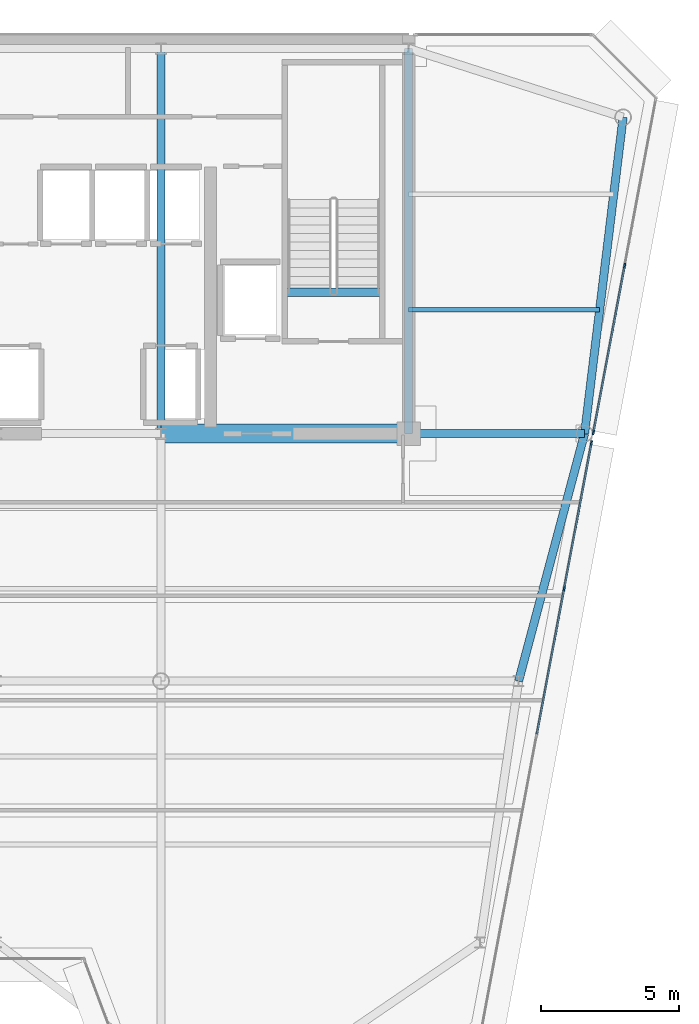
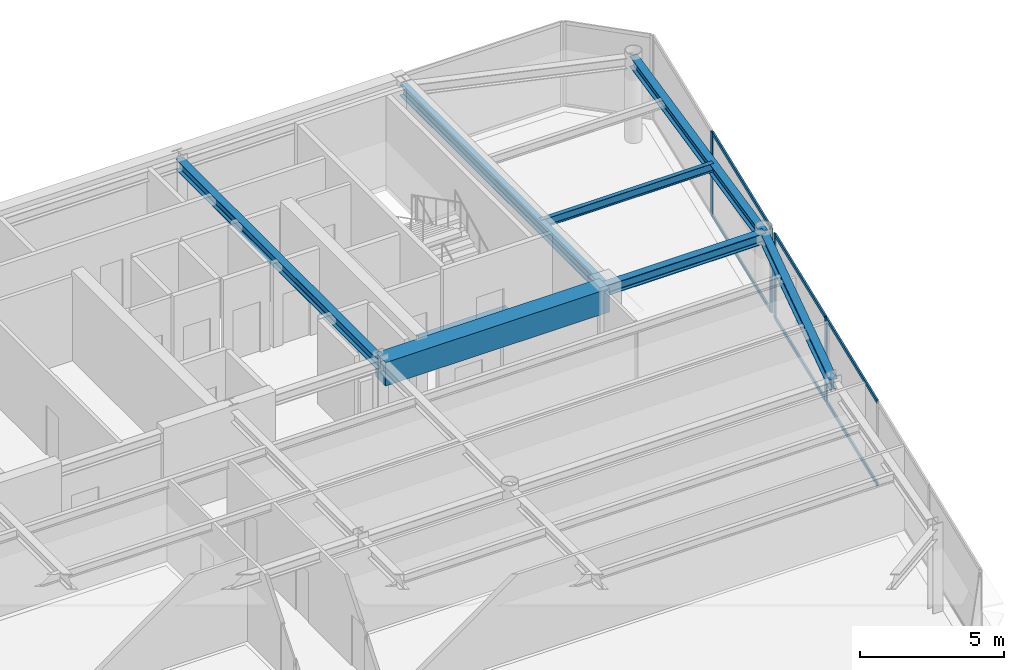
# One storey, part 7 of 20: 10 members, 8 beams, 2 elements without a shape of their own.
"""IFC4 building model written with IfcOpenShell, lengths in metres."""

from ifc_helpers import new_model, si_unit, direction, frame, origin, origin_2d, place, context, subcontext, project, spatial, rectangle, i_section, extrude, source, transform, mapped, material, layer, layer_set, material_profile, profile_set, type_object, element, aggregate, save


model = new_model("IFC4")

# Units and contexts
model_context = context("Model", 3, precision=1e-05, world=origin(), true_north=direction((0.0, 1.0)))
body_context = subcontext(model_context, "Body", "Model", "MODEL_VIEW")
ifc_project = project(units=[si_unit("LENGTHUNIT", "METRE"), si_unit("AREAUNIT", "SQUARE_METRE"), si_unit("VOLUMEUNIT", "CUBIC_METRE"), si_unit("PLANEANGLEUNIT", "RADIAN"), si_unit("MASSUNIT", "GRAM", prefix="KILO")], contexts=[model_context])

# Site, building, storey
site_placement = place(None, origin())
site = spatial("IfcSite", under=ifc_project, at=site_placement, CompositionType="ELEMENT")
building_placement = place(site_placement, origin())
building = spatial("IfcBuilding", under=site, at=building_placement, Name="Vaeldorn Concourse Tower", CompositionType="ELEMENT")
storey_placement = place(building_placement, frame((0.0, 0.0, 295.39990234375)))
storey = spatial("IfcBuildingStorey", under=building, at=storey_placement, Name="L76", CompositionType="ELEMENT", Elevation=295.39990234375)

# Beams
ifc_material_1 = material(Name="Concrete C50/60", Category="concrete")
ifc_material_profile_1 = material_profile(ifc_material_1, rectangle(XDim=0.699951171875, YDim=1.0, at=origin_2d()), Name="RC 700x1000")
ifc_profile_set_1 = profile_set([ifc_material_profile_1], Name="Concrete C50/60")
beam_type_1 = type_object("IfcBeamType", Name="BM-CB-RC700", PredefinedType="BEAM", material=ifc_profile_set_1)
shared_shape_1 = source(origin(), body_context, "Body", "SweptSolid", [
    extrude(rectangle(XDim=0.699951171875, YDim=1.0, at=origin_2d()), origin(), (0.0, 0.0, 1.0), 9.0),
])
beam_1_placement = place(storey_placement, frame((45.0, 36.5, 3.080078125), z_axis=(1.0, 0.0, 0.0), x_axis=(0.0, 1.0, 0.0)))
element("IfcBeam", 1, at=beam_1_placement, inside=storey, type_object=beam_type_1, Name="Core Coupling Beam L76-2", PredefinedType="BEAM", context=body_context, shape_type="MappedRepresentation", body=[
    mapped(shared_shape_1, transform((0.0, 0.0, 0.0), scale=1.0)),
])
ifc_material_2 = material(Name="Steel S355", Category="steel")
ifc_material_profile_2 = material_profile(ifc_material_2, i_section(OverallWidth=0.300048828125, OverallDepth=0.340087890625, WebThickness=0.011962890625, FlangeThickness=0.021484375, FilletRadius=0.027099609375, at=origin_2d()), Name="HEB 340")
ifc_profile_set_2 = profile_set([ifc_material_profile_2], Name="Steel S355")
beam_type_2 = type_object("IfcBeamType", Name="BM-ST-TRIM", PredefinedType="BEAM", material=ifc_profile_set_2)
shared_shape_2 = source(origin(), body_context, "Body", "SweptSolid", [
    extrude(i_section(OverallWidth=0.300048828125, OverallDepth=0.340087890625, WebThickness=0.011962890625, FlangeThickness=0.021484375, FilletRadius=0.027099609375, at=origin_2d()), origin(), (0.0, 0.0, 1.0), 3.590087890625),
])
beam_2_placement = place(storey_placement, frame((49.47998046875, 41.639892578125, -0.389892578125), z_axis=(1.0, 0.0, 0.0), x_axis=(0.0, 1.0, 0.0)))
element("IfcBeam", 2, at=beam_2_placement, inside=storey, type_object=beam_type_2, Name="Stair Landing Trimmer Beam ST-2 L76", PredefinedType="BEAM", context=body_context, shape_type="MappedRepresentation", body=[
    mapped(shared_shape_2, transform((0.0, 0.0, 0.0), scale=1.0)),
])
ifc_material_profile_3 = material_profile(ifc_material_2, i_section(OverallWidth=0.169921875, OverallDepth=0.360107421875, WebThickness=0.008056640625, FlangeThickness=0.0126953125, FilletRadius=0.01806640625, at=origin_2d()), Name="IPE 360")
ifc_profile_set_3 = profile_set([ifc_material_profile_3], Name="Steel S355")
beam_type_3 = type_object("IfcBeamType", Name="BM-JS-IPE360", PredefinedType="JOIST", material=ifc_profile_set_3)
shared_shape_3 = source(origin(), body_context, "Body", "SweptSolid", [
    extrude(i_section(OverallWidth=0.169921875, OverallDepth=0.360107421875, WebThickness=0.008056640625, FlangeThickness=0.0126953125, FilletRadius=0.01806640625, at=origin_2d()), origin(), (0.0, 0.0, 1.0), 6.94775390625),
])
beam_3_placement = place(storey_placement, frame((54.0, 41.0, 3.400146484375), z_axis=(1.0, 0.0, 0.0), x_axis=(0.0, 1.0, 0.0)))
element("IfcBeam", 3, at=beam_3_placement, inside=storey, type_object=beam_type_3, Name="Beam JS-L76-NE-410", PredefinedType="JOIST", context=body_context, shape_type="MappedRepresentation", body=[
    mapped(shared_shape_3, transform((0.0, 0.0, 0.0), scale=1.0)),
])
ifc_material_profile_4 = material_profile(ifc_material_2, i_section(OverallWidth=0.300048828125, OverallDepth=0.449951171875, WebThickness=0.013916015625, FlangeThickness=0.02587890625, FilletRadius=0.027099609375, at=origin_2d()), Name="HEB 450")
ifc_profile_set_4 = profile_set([ifc_material_profile_4], Name="Steel S355")
beam_type_4 = type_object("IfcBeamType", Name="BM-PG-HEB450", PredefinedType="BEAM", material=ifc_profile_set_4)
shared_shape_4 = source(origin(), body_context, "Body", "SweptSolid", [
    extrude(i_section(OverallWidth=0.300048828125, OverallDepth=0.449951171875, WebThickness=0.013916015625, FlangeThickness=0.02587890625, FilletRadius=0.027099609375, at=origin_2d()), origin(), (0.0, 0.0, 1.0), 14.0),
])
for number, where, z_axis, x_axis, name in (
    (4, (45.0, 36.5, 3.35498046875), (0.0, 1.0, 0.0), (-1.0, 0.0, 0.0), "Beam BM-L76-C-FC5-C-HC4"),
    (5, (54.0, 36.5, 3.35498046875), (0.0, 1.0, 0.0), (-1.0, 0.0, 0.0), "Beam BM-L76-C-FC6-C-HC5"),
):
    element("IfcBeam", number, at=place(storey_placement, frame(where, z_axis=z_axis, x_axis=x_axis)), inside=storey, type_object=beam_type_4, Name=name, PredefinedType="BEAM", context=body_context, shape_type="MappedRepresentation", body=[
        mapped(shared_shape_4, transform((0.0, 0.0, 0.0), scale=1.0)),
    ])
shared_shape_5 = source(origin(), body_context, "Body", "SweptSolid", [
    extrude(i_section(OverallWidth=0.300048828125, OverallDepth=0.449951171875, WebThickness=0.013916015625, FlangeThickness=0.02587890625, FilletRadius=0.027099609375, at=origin_2d()), origin(), (0.0, 0.0, 1.0), 11.5849609375),
])
beam_4_placement = place(storey_placement, frame((61.800048828125, 48.0, 3.35498046875), z_axis=(-0.120859382899, -0.992669637677, 0.0), x_axis=(0.992669637677, -0.120859382899, 0.0)))
element("IfcBeam", 6, at=beam_4_placement, inside=storey, type_object=beam_type_4, Name="Beam BM-L76-C-NE1-C-NE2", PredefinedType="BEAM", context=body_context, shape_type="MappedRepresentation", body=[
    mapped(shared_shape_5, transform((0.0, 0.0, 0.0), scale=1.0)),
])
shared_shape_6 = source(origin(), body_context, "Body", "SweptSolid", [
    extrude(i_section(OverallWidth=0.300048828125, OverallDepth=0.449951171875, WebThickness=0.013916015625, FlangeThickness=0.02587890625, FilletRadius=0.027099609375, at=origin_2d()), origin(), (0.0, 0.0, 1.0), 6.39990234375),
])
beam_5_placement = place(storey_placement, frame((54.0, 36.5, 3.35498046875), z_axis=(1.0, 0.0, 0.0), x_axis=(0.0, 1.0, 0.0)))
element("IfcBeam", 7, at=beam_5_placement, inside=storey, type_object=beam_type_4, Name="Beam BM-L76-C-FC6-C-NE2", PredefinedType="BEAM", context=body_context, shape_type="MappedRepresentation", body=[
    mapped(shared_shape_6, transform((0.0, 0.0, 0.0), scale=1.0)),
])
shared_shape_7 = source(origin(), body_context, "Body", "SweptSolid", [
    extrude(i_section(OverallWidth=0.300048828125, OverallDepth=0.449951171875, WebThickness=0.013916015625, FlangeThickness=0.02587890625, FilletRadius=0.027099609375, at=origin_2d()), origin(), (0.0, 0.0, 1.0), 9.314453125),
])
beam_6_placement = place(storey_placement, frame((60.39990234375, 36.5, 3.35498046875), z_axis=(-0.257652862255, -0.966237549763, 0.0), x_axis=(0.966237549763, -0.257652862255, 0.0)))
element("IfcBeam", 8, at=beam_6_placement, inside=storey, type_object=beam_type_4, Name="Beam BM-L76-C-NE2-C-FLE1", PredefinedType="BEAM", context=body_context, shape_type="MappedRepresentation", body=[
    mapped(shared_shape_7, transform((0.0, 0.0, 0.0), scale=1.0)),
])

# Curtain wall, members
ifc_material_3 = material(Name="Anodised Bronze Aluminium", Category="aluminium")
ifc_layer = layer(ifc_material_3, 0.179931640625)
ifc_layer_set = layer_set([ifc_layer], Name="Anodised Bronze Aluminium")
curtain_wall_type = type_object("IfcCurtainWallType", Name="CW-SYS-05", PredefinedType="NOTDEFINED", material=ifc_layer_set)
curtain_wall_1_placement = place(storey_placement, origin())
curtain_wall_1 = element("IfcCurtainWall", 9, at=curtain_wall_1_placement, inside=storey, type_object=curtain_wall_type, Name="Unitised Curtain Wall CW-L76-E07-1", PredefinedType="NOTDEFINED")
ifc_material_profile_5 = material_profile(ifc_material_3, rectangle(XDim=0.06494140625, YDim=0.169921875, at=origin_2d()), Name="CWM 65x170")
ifc_profile_set_5 = profile_set([ifc_material_profile_5], Name="Anodised Bronze Aluminium")
member_type_1 = type_object("IfcMemberType", Name="CWM-BRONZE-170", PredefinedType="MULLION", material=ifc_profile_set_5)
shared_shape_8 = source(origin(), body_context, "Body", "SweptSolid", [
    extrude(rectangle(XDim=0.06494140625, YDim=0.169921875, at=origin_2d()), origin(), (0.0, 0.0, 1.0), 3.580078125),
])
member_1_placement = place(storey_placement, frame((59.656494140625, 30.86376953125, 0.0), z_axis=(0.0, 0.0, 1.0), x_axis=(-0.982880027444, 0.184246714088, 0.0)))
member_1 = element("IfcMember", 10, at=member_1_placement, type_object=member_type_1, Name="CW-05 mullion 4", PredefinedType="MULLION", context=body_context, shape_type="MappedRepresentation", body=[
    mapped(shared_shape_8, transform((0.0, 0.0, 0.0), scale=1.0)),
])
member_2_placement = place(storey_placement, frame((60.64794921875, 36.153076171875, 0.0), z_axis=(0.0, 0.0, 1.0), x_axis=(-0.982880027444, 0.184246714088, 0.0)))
member_2 = element("IfcMember", 11, at=member_2_placement, type_object=member_type_1, Name="CW-05 mullion 5", PredefinedType="MULLION", context=body_context, shape_type="MappedRepresentation", body=[
    mapped(shared_shape_8, transform((0.0, 0.0, 0.0), scale=1.0)),
])

curtain_wall_2_placement = place(storey_placement, origin())
curtain_wall_2 = element("IfcCurtainWall", 12, at=curtain_wall_2_placement, inside=storey, type_object=curtain_wall_type, Name="Unitised Curtain Wall CW-L76-E07-2", PredefinedType="NOTDEFINED")
member_3_placement = place(storey_placement, frame((60.720947265625, 36.542236328125, 0.0), z_axis=(0.0, 0.0, 1.0), x_axis=(-0.982880218842, 0.184245693053, 0.0)))
member_3 = element("IfcMember", 13, at=member_3_placement, type_object=member_type_1, Name="CW-05 mullion 1", PredefinedType="MULLION", context=body_context, shape_type="MappedRepresentation", body=[
    mapped(shared_shape_8, transform((0.0, 0.0, 0.0), scale=1.0)),
])
member_4_placement = place(storey_placement, frame((61.857421875, 42.605224609375, 0.0), z_axis=(0.0, 0.0, 1.0), x_axis=(-0.982880218842, 0.184245693053, 0.0)))
member_4 = element("IfcMember", 14, at=member_4_placement, type_object=member_type_1, Name="CW-05 mullion 2", PredefinedType="MULLION", context=body_context, shape_type="MappedRepresentation", body=[
    mapped(shared_shape_8, transform((0.0, 0.0, 0.0), scale=1.0)),
])

# Member
ifc_material_profile_6 = material_profile(ifc_material_3, rectangle(XDim=0.06494140625, YDim=0.14990234375, at=origin_2d()), Name="CWT 65x150")
ifc_profile_set_6 = profile_set([ifc_material_profile_6], Name="Anodised Bronze Aluminium")
member_type_2 = type_object("IfcMemberType", Name="CWT-BRONZE-150", PredefinedType="USERDEFINED", material=ifc_profile_set_6)
shared_shape_9 = source(origin(), body_context, "Body", "SweptSolid", [
    extrude(rectangle(XDim=0.06494140625, YDim=0.14990234375, at=origin_2d()), origin(), (0.0, 0.0, 1.0), 5.31640625),
])
member_5_placement = place(storey_placement, frame((59.66259765625, 30.895751953125, 0.03271484375), z_axis=(0.184241399207, 0.982881023735, 0.0), x_axis=(-0.982881023735, 0.184241399207, 0.0)))
member_5 = element("IfcMember", 15, at=member_5_placement, type_object=member_type_2, Name="CW-05 transom 4.1", ObjectType="TRANSOM", PredefinedType="USERDEFINED", context=body_context, shape_type="MappedRepresentation", body=[
    mapped(shared_shape_9, transform((0.0, 0.0, 0.0), scale=1.0)),
])

member_6_placement = place(storey_placement, frame((59.66259765625, 30.895751953125, 3.547607421875), z_axis=(0.184241399207, 0.982881023735, 0.0), x_axis=(-0.982881023735, 0.184241399207, 0.0)))
member_6 = element("IfcMember", 16, at=member_6_placement, type_object=member_type_2, Name="CW-05 transom 4.2", ObjectType="TRANSOM", PredefinedType="USERDEFINED", context=body_context, shape_type="MappedRepresentation", body=[
    mapped(shared_shape_9, transform((0.0, 0.0, 0.0), scale=1.0)),
])

shared_shape_10 = source(origin(), body_context, "Body", "SweptSolid", [
    extrude(rectangle(XDim=0.06494140625, YDim=0.14990234375, at=origin_2d()), origin(), (0.0, 0.0, 1.0), 5.348876953125),
])
member_7_placement = place(storey_placement, frame((58.6650390625, 25.574462890625, 0.03271484375), z_axis=(0.184216882988, 0.982885618993, 0.0), x_axis=(-0.982885618993, 0.184216882988, 0.0)))
member_7 = element("IfcMember", 17, at=member_7_placement, type_object=member_type_2, Name="CW-05 transom 3.1", ObjectType="TRANSOM", PredefinedType="USERDEFINED", context=body_context, shape_type="MappedRepresentation", body=[
    mapped(shared_shape_10, transform((0.0, 0.0, 0.0), scale=1.0)),
])

member_8_placement = place(storey_placement, frame((58.6650390625, 25.574462890625, 3.547607421875), z_axis=(0.184216882988, 0.982885618993, 0.0), x_axis=(-0.982885618993, 0.184216882988, 0.0)))
member_8 = element("IfcMember", 18, at=member_8_placement, type_object=member_type_2, Name="CW-05 transom 3.2", ObjectType="TRANSOM", PredefinedType="USERDEFINED", context=body_context, shape_type="MappedRepresentation", body=[
    mapped(shared_shape_10, transform((0.0, 0.0, 0.0), scale=1.0)),
])

aggregate(curtain_wall_1, [member_1, member_2, member_7, member_8, member_5, member_6])

shared_shape_11 = source(origin(), body_context, "Body", "SweptSolid", [
    extrude(rectangle(XDim=0.06494140625, YDim=0.14990234375, at=origin_2d()), origin(), (0.0, 0.0, 1.0), 6.103515625),
])
member_9_placement = place(storey_placement, frame((60.72705078125, 36.57421875, 0.03271484375), z_axis=(0.18424023288, 0.982881242363, 0.0), x_axis=(-0.982881242363, 0.18424023288, 0.0)))
member_9 = element("IfcMember", 19, at=member_9_placement, type_object=member_type_2, Name="CW-05 transom 1.1", ObjectType="TRANSOM", PredefinedType="USERDEFINED", context=body_context, shape_type="MappedRepresentation", body=[
    mapped(shared_shape_11, transform((0.0, 0.0, 0.0), scale=1.0)),
])

member_10_placement = place(storey_placement, frame((60.72705078125, 36.57421875, 3.547607421875), z_axis=(0.18424023288, 0.982881242363, 0.0), x_axis=(-0.982881242363, 0.18424023288, 0.0)))
member_10 = element("IfcMember", 20, at=member_10_placement, type_object=member_type_2, Name="CW-05 transom 1.2", ObjectType="TRANSOM", PredefinedType="USERDEFINED", context=body_context, shape_type="MappedRepresentation", body=[
    mapped(shared_shape_11, transform((0.0, 0.0, 0.0), scale=1.0)),
])

aggregate(curtain_wall_2, [member_3, member_4, member_9, member_10])

save(model, "model.ifc")
